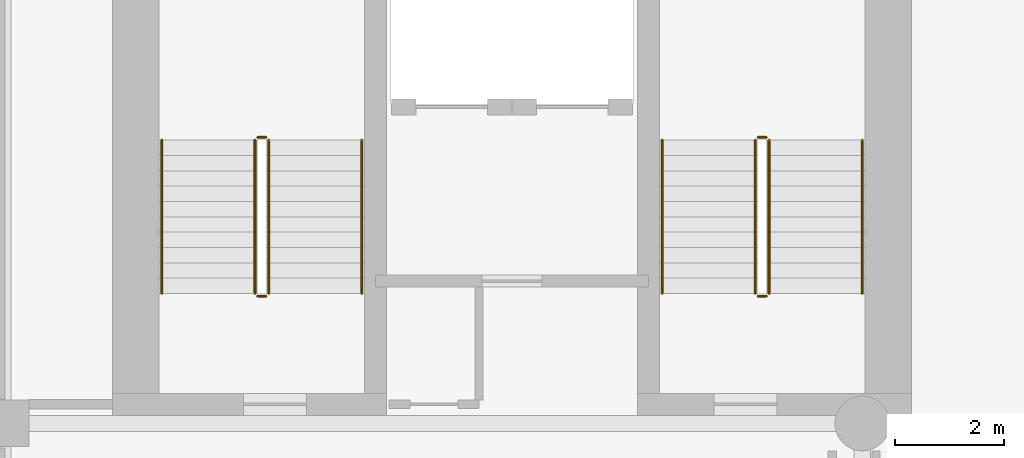
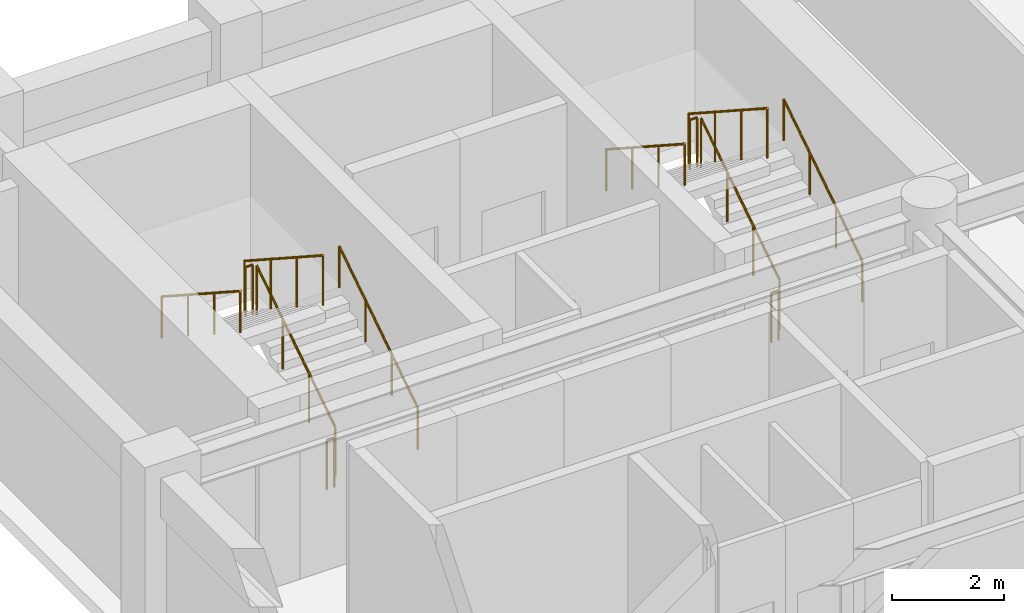
# One storey, part 7 of 8: 12 railings.
"""IFC4 building model written with IfcOpenShell, lengths in metres."""

from ifc_helpers import new_model, si_unit, direction, frame, origin, origin_2d, place, context, subcontext, project, spatial, circle, extrude, material, type_object, element, save


model = new_model("IFC4")

# Units and contexts
model_context = context("Model", 3, precision=1e-05, world=origin(), true_north=direction((0.0, 1.0)))
body_context = subcontext(model_context, "Body", "Model", "MODEL_VIEW")
ifc_project = project(units=[si_unit("LENGTHUNIT", "METRE"), si_unit("AREAUNIT", "SQUARE_METRE"), si_unit("VOLUMEUNIT", "CUBIC_METRE"), si_unit("PLANEANGLEUNIT", "RADIAN"), si_unit("MASSUNIT", "GRAM", prefix="KILO")], contexts=[model_context])

# Site, building, storey
site_placement = place(None, origin())
site = spatial("IfcSite", under=ifc_project, at=site_placement, CompositionType="ELEMENT")
building_placement = place(site_placement, origin())
building = spatial("IfcBuilding", under=site, at=building_placement, Name="Sulina Concourse Tower", CompositionType="ELEMENT")
storey_placement = place(building_placement, frame((0.0, 0.0, 156.60009765625)))
storey = spatial("IfcBuildingStorey", under=building, at=storey_placement, Name="L38", CompositionType="ELEMENT", Elevation=156.60009765625)

# Railings
ifc_material_1 = material(Name="Galvanised steel railing", Category="steel")
railing_type_1 = type_object("IfcRailingType", Name="Core Stair Steel Guardrail 1150mm", PredefinedType="GUARDRAIL", material=ifc_material_1)
railing_1_placement = place(storey_placement, frame((5.554931640625, 36.375, 0.181640625)))
element("IfcRailing", 1, at=railing_1_placement, inside=storey, type_object=railing_type_1, Name="L38 ST-1 stair guard 1", PredefinedType="GUARDRAIL", context=body_context, shape_type="SweptSolid", body=[
    extrude(circle(Radius=0.02392578125, at=origin_2d()), frame((0.0, 0.0, 1.076171875), z_axis=(0.0, 0.838672427954, 0.544636170843), x_axis=(-1.0, 0.0, 0.0)), (0.0, 0.0, 1.0), 3.338623046875),
    extrude(circle(Radius=0.02099609375, at=origin_2d()), origin(), (0.0, 0.0, 1.0), 1.052001953125),
    extrude(circle(Radius=0.02099609375, at=origin_2d()), frame((0.0, 0.933349609375, 0.606201171875)), (0.0, 0.0, 1.0), 1.052001953125),
    extrude(circle(Radius=0.02099609375, at=origin_2d()), frame((0.0, 1.86669921875, 1.212158203125)), (0.0, 0.0, 1.0), 1.052001953125),
    extrude(circle(Radius=0.02099609375, at=origin_2d()), frame((0.0, 2.800048828125, 1.818359375)), (0.0, 0.0, 1.0), 1.052001953125),
])
railing_2_placement = place(storey_placement, frame((5.5048828125, 39.22509765625, 2.0)))
element("IfcRailing", 2, at=railing_2_placement, inside=storey, type_object=railing_type_1, Name="L38 ST-1 stair guard 2", PredefinedType="GUARDRAIL", context=body_context, shape_type="SweptSolid", body=[
    extrude(circle(Radius=0.02392578125, at=origin_2d()), frame((0.0, 0.0, 1.076171875), z_axis=(-1.0, 0.0, 0.0), x_axis=(0.0, -1.0, 0.0)), (0.0, 0.0, 1.0), 0.14990234375),
    extrude(circle(Radius=0.02099609375, at=origin_2d()), origin(), (0.0, 0.0, 1.0), 1.052001953125),
    extrude(circle(Radius=0.02099609375, at=origin_2d()), frame((-0.14990234375, 0.0, 0.0)), (0.0, 0.0, 1.0), 1.052001953125),
])
railing_3_placement = place(storey_placement, frame((5.304931640625, 39.175048828125, 2.181640625)))
element("IfcRailing", 3, at=railing_3_placement, inside=storey, type_object=railing_type_1, Name="L38 ST-1 stair guard 3", PredefinedType="GUARDRAIL", context=body_context, shape_type="SweptSolid", body=[
    extrude(circle(Radius=0.02392578125, at=origin_2d()), frame((0.0, 0.0, 1.076171875), z_axis=(0.0, -0.838672427954, 0.544636170843), x_axis=(1.0, 0.0, 0.0)), (0.0, 0.0, 1.0), 3.338623046875),
    extrude(circle(Radius=0.02099609375, at=origin_2d()), origin(), (0.0, 0.0, 1.0), 1.052001953125),
    extrude(circle(Radius=0.02099609375, at=origin_2d()), frame((0.0, -0.933349609375, 0.606201171875)), (0.0, 0.0, 1.0), 1.052001953125),
    extrude(circle(Radius=0.02099609375, at=origin_2d()), frame((0.0, -1.86669921875, 1.212158203125)), (0.0, 0.0, 1.0), 1.052001953125),
    extrude(circle(Radius=0.02099609375, at=origin_2d()), frame((0.0, -2.800048828125, 1.818359375)), (0.0, 0.0, 1.0), 1.052001953125),
])
railing_4_placement = place(storey_placement, frame((5.5048828125, 36.324951171875, 0.0)))
element("IfcRailing", 4, at=railing_4_placement, inside=storey, type_object=railing_type_1, Name="L38 ST-1 stair guard 4", PredefinedType="GUARDRAIL", context=body_context, shape_type="SweptSolid", body=[
    extrude(circle(Radius=0.02392578125, at=origin_2d()), frame((0.0, 0.0, 1.076171875), z_axis=(-1.0, 0.0, 0.0), x_axis=(0.0, -1.0, 0.0)), (0.0, 0.0, 1.0), 0.14990234375),
    extrude(circle(Radius=0.02099609375, at=origin_2d()), origin(), (0.0, 0.0, 1.0), 1.052001953125),
    extrude(circle(Radius=0.02099609375, at=origin_2d()), frame((-0.14990234375, 0.0, 0.0)), (0.0, 0.0, 1.0), 1.052001953125),
])
railing_5_placement = place(storey_placement, frame((14.695068359375, 36.375, 0.181640625)))
element("IfcRailing", 5, at=railing_5_placement, inside=storey, type_object=railing_type_1, Name="L38 ST-2 stair guard 1", PredefinedType="GUARDRAIL", context=body_context, shape_type="SweptSolid", body=[
    extrude(circle(Radius=0.02392578125, at=origin_2d()), frame((0.0, 0.0, 1.076171875), z_axis=(0.0, 0.838672427954, 0.544636170843), x_axis=(-1.0, 0.0, 0.0)), (0.0, 0.0, 1.0), 3.338623046875),
    extrude(circle(Radius=0.02099609375, at=origin_2d()), origin(), (0.0, 0.0, 1.0), 1.052001953125),
    extrude(circle(Radius=0.02099609375, at=origin_2d()), frame((0.0, 0.933349609375, 0.606201171875)), (0.0, 0.0, 1.0), 1.052001953125),
    extrude(circle(Radius=0.02099609375, at=origin_2d()), frame((0.0, 1.86669921875, 1.212158203125)), (0.0, 0.0, 1.0), 1.052001953125),
    extrude(circle(Radius=0.02099609375, at=origin_2d()), frame((0.0, 2.800048828125, 1.818359375)), (0.0, 0.0, 1.0), 1.052001953125),
])
railing_6_placement = place(storey_placement, frame((14.64501953125, 39.22509765625, 2.0)))
element("IfcRailing", 6, at=railing_6_placement, inside=storey, type_object=railing_type_1, Name="L38 ST-2 stair guard 2", PredefinedType="GUARDRAIL", context=body_context, shape_type="SweptSolid", body=[
    extrude(circle(Radius=0.02392578125, at=origin_2d()), frame((0.0, 0.0, 1.076171875), z_axis=(-1.0, 0.0, 0.0), x_axis=(0.0, -1.0, 0.0)), (0.0, 0.0, 1.0), 0.14990234375),
    extrude(circle(Radius=0.02099609375, at=origin_2d()), origin(), (0.0, 0.0, 1.0), 1.052001953125),
    extrude(circle(Radius=0.02099609375, at=origin_2d()), frame((-0.14990234375, 0.0, 0.0)), (0.0, 0.0, 1.0), 1.052001953125),
])
railing_7_placement = place(storey_placement, frame((14.445068359375, 39.175048828125, 2.181640625)))
element("IfcRailing", 7, at=railing_7_placement, inside=storey, type_object=railing_type_1, Name="L38 ST-2 stair guard 3", PredefinedType="GUARDRAIL", context=body_context, shape_type="SweptSolid", body=[
    extrude(circle(Radius=0.02392578125, at=origin_2d()), frame((0.0, 0.0, 1.076171875), z_axis=(0.0, -0.838672427954, 0.544636170843), x_axis=(1.0, 0.0, 0.0)), (0.0, 0.0, 1.0), 3.338623046875),
    extrude(circle(Radius=0.02099609375, at=origin_2d()), origin(), (0.0, 0.0, 1.0), 1.052001953125),
    extrude(circle(Radius=0.02099609375, at=origin_2d()), frame((0.0, -0.933349609375, 0.606201171875)), (0.0, 0.0, 1.0), 1.052001953125),
    extrude(circle(Radius=0.02099609375, at=origin_2d()), frame((0.0, -1.86669921875, 1.212158203125)), (0.0, 0.0, 1.0), 1.052001953125),
    extrude(circle(Radius=0.02099609375, at=origin_2d()), frame((0.0, -2.800048828125, 1.818359375)), (0.0, 0.0, 1.0), 1.052001953125),
])
railing_8_placement = place(storey_placement, frame((14.64501953125, 36.324951171875, 0.0)))
element("IfcRailing", 8, at=railing_8_placement, inside=storey, type_object=railing_type_1, Name="L38 ST-2 stair guard 4", PredefinedType="GUARDRAIL", context=body_context, shape_type="SweptSolid", body=[
    extrude(circle(Radius=0.02392578125, at=origin_2d()), frame((0.0, 0.0, 1.076171875), z_axis=(-1.0, 0.0, 0.0), x_axis=(0.0, -1.0, 0.0)), (0.0, 0.0, 1.0), 0.14990234375),
    extrude(circle(Radius=0.02099609375, at=origin_2d()), origin(), (0.0, 0.0, 1.0), 1.052001953125),
    extrude(circle(Radius=0.02099609375, at=origin_2d()), frame((-0.14990234375, 0.0, 0.0)), (0.0, 0.0, 1.0), 1.052001953125),
])
ifc_material_2 = material(Name="Galvanised steel railing", Category="steel")
railing_type_2 = type_object("IfcRailingType", Name="Stair Wall Steel Handrail 920mm", PredefinedType="HANDRAIL", material=ifc_material_2)
railing_9_placement = place(storey_placement, frame((7.2548828125, 36.375, 0.181640625)))
element("IfcRailing", 9, at=railing_9_placement, inside=storey, type_object=railing_type_2, Name="L38 ST-1 stair handrail 1", PredefinedType="HANDRAIL", context=body_context, shape_type="SweptSolid", body=[
    extrude(circle(Radius=0.02392578125, at=origin_2d()), frame((0.0, 0.0, 0.89599609375), z_axis=(0.0, 0.838672427954, 0.544636170843), x_axis=(-1.0, 0.0, 0.0)), (0.0, 0.0, 1.0), 3.338623046875),
    extrude(circle(Radius=0.02099609375, at=origin_2d()), origin(), (0.0, 0.0, 1.0), 0.871826171875),
    extrude(circle(Radius=0.02099609375, at=origin_2d()), frame((0.0, 0.933349609375, 0.606201171875)), (0.0, 0.0, 1.0), 0.871826171875),
    extrude(circle(Radius=0.02099609375, at=origin_2d()), frame((0.0, 1.86669921875, 1.212158203125)), (0.0, 0.0, 1.0), 0.871826171875),
    extrude(circle(Radius=0.02099609375, at=origin_2d()), frame((0.0, 2.800048828125, 1.818359375)), (0.0, 0.0, 1.0), 0.871826171875),
])
railing_10_placement = place(storey_placement, frame((3.60498046875, 39.175048828125, 2.181640625)))
element("IfcRailing", 10, at=railing_10_placement, inside=storey, type_object=railing_type_2, Name="L38 ST-1 stair handrail 2", PredefinedType="HANDRAIL", context=body_context, shape_type="SweptSolid", body=[
    extrude(circle(Radius=0.02392578125, at=origin_2d()), frame((0.0, 0.0, 0.89599609375), z_axis=(0.0, -0.838672427954, 0.544636170843), x_axis=(1.0, 0.0, 0.0)), (0.0, 0.0, 1.0), 3.338623046875),
    extrude(circle(Radius=0.02099609375, at=origin_2d()), origin(), (0.0, 0.0, 1.0), 0.871826171875),
    extrude(circle(Radius=0.02099609375, at=origin_2d()), frame((0.0, -0.933349609375, 0.606201171875)), (0.0, 0.0, 1.0), 0.871826171875),
    extrude(circle(Radius=0.02099609375, at=origin_2d()), frame((0.0, -1.86669921875, 1.212158203125)), (0.0, 0.0, 1.0), 0.871826171875),
    extrude(circle(Radius=0.02099609375, at=origin_2d()), frame((0.0, -2.800048828125, 1.818359375)), (0.0, 0.0, 1.0), 0.871826171875),
])
railing_11_placement = place(storey_placement, frame((16.39501953125, 36.375, 0.181640625)))
element("IfcRailing", 11, at=railing_11_placement, inside=storey, type_object=railing_type_2, Name="L38 ST-2 stair handrail 1", PredefinedType="HANDRAIL", context=body_context, shape_type="SweptSolid", body=[
    extrude(circle(Radius=0.02392578125, at=origin_2d()), frame((0.0, 0.0, 0.89599609375), z_axis=(0.0, 0.838672427954, 0.544636170843), x_axis=(-1.0, 0.0, 0.0)), (0.0, 0.0, 1.0), 3.338623046875),
    extrude(circle(Radius=0.02099609375, at=origin_2d()), origin(), (0.0, 0.0, 1.0), 0.871826171875),
    extrude(circle(Radius=0.02099609375, at=origin_2d()), frame((0.0, 0.933349609375, 0.606201171875)), (0.0, 0.0, 1.0), 0.871826171875),
    extrude(circle(Radius=0.02099609375, at=origin_2d()), frame((0.0, 1.86669921875, 1.212158203125)), (0.0, 0.0, 1.0), 0.871826171875),
    extrude(circle(Radius=0.02099609375, at=origin_2d()), frame((0.0, 2.800048828125, 1.818359375)), (0.0, 0.0, 1.0), 0.871826171875),
])
railing_12_placement = place(storey_placement, frame((12.7451171875, 39.175048828125, 2.181640625)))
element("IfcRailing", 12, at=railing_12_placement, inside=storey, type_object=railing_type_2, Name="L38 ST-2 stair handrail 2", PredefinedType="HANDRAIL", context=body_context, shape_type="SweptSolid", body=[
    extrude(circle(Radius=0.02392578125, at=origin_2d()), frame((0.0, 0.0, 0.89599609375), z_axis=(0.0, -0.838672427954, 0.544636170843), x_axis=(1.0, 0.0, 0.0)), (0.0, 0.0, 1.0), 3.338623046875),
    extrude(circle(Radius=0.02099609375, at=origin_2d()), origin(), (0.0, 0.0, 1.0), 0.871826171875),
    extrude(circle(Radius=0.02099609375, at=origin_2d()), frame((0.0, -0.933349609375, 0.606201171875)), (0.0, 0.0, 1.0), 0.871826171875),
    extrude(circle(Radius=0.02099609375, at=origin_2d()), frame((0.0, -1.86669921875, 1.212158203125)), (0.0, 0.0, 1.0), 0.871826171875),
    extrude(circle(Radius=0.02099609375, at=origin_2d()), frame((0.0, -2.800048828125, 1.818359375)), (0.0, 0.0, 1.0), 0.871826171875),
])

save(model, "model.ifc")
